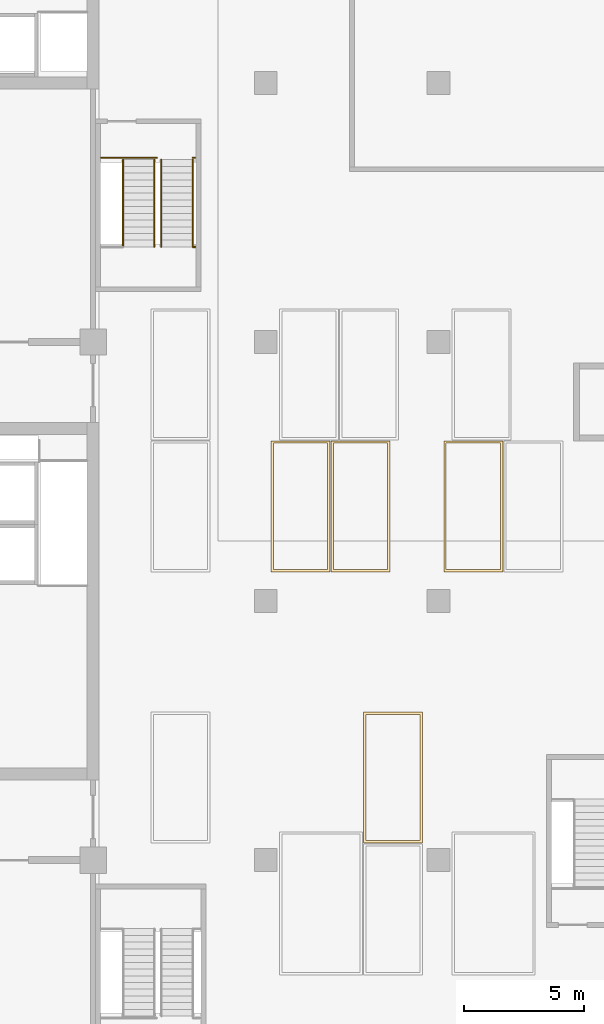
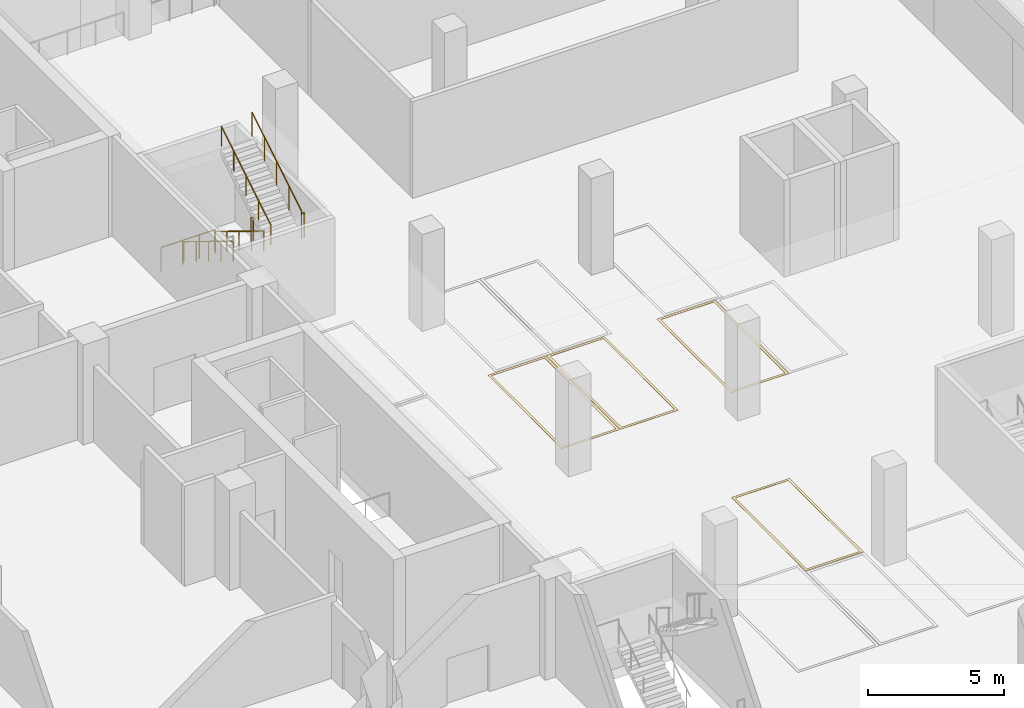
# One storey, part 15 of 18: 8 railings, 4 coverings.
"""IFC4 building model written with IfcOpenShell, lengths in metres."""

import ifcopenshell
import ifcopenshell.guid

model = None  # the IFC model being written
_history = None  # IfcOwnerHistory: only IFC2X3 demands one
_inside = {}  # id of a spatial element -> (the spatial element, [elements in it])
_under = {}  # id of a project, library or spatial element -> (it, [spatial elements below it])
_declared = {}  # id of a project -> (the project, [libraries it declares])
_typed = {}  # id of a type object -> (the type object, [elements of that type])
_made_of = {}  # id of a material, layer set ... -> (it, [elements and type objects made of it])


def new_model(schema):
    """Start an empty IFC model of exactly this schema.

    Asked for "IFC4X3", IfcOpenShell would pick the latest addendum, in which some entities
    have other attributes; the version numbers below select the first issue.
    IFC2X3 requires an IfcOwnerHistory on every rooted entity: one is made here for all.
    """
    global model, _history
    if schema == "IFC4X3":
        model = ifcopenshell.file(schema_version=(4, 3, 0, 0))
    else:
        model = ifcopenshell.file(schema=schema)
    _inside.clear()
    _under.clear()
    _declared.clear()
    _typed.clear()
    _made_of.clear()
    _history = None
    if model.schema == "IFC2X3":
        org = make("IfcOrganization", Name="unknown")
        user = make(
            "IfcPersonAndOrganization",
            ThePerson=make("IfcPerson", FamilyName="unknown"),
            TheOrganization=org,
        )
        app = make(
            "IfcApplication",
            ApplicationDeveloper=org,
            Version="unknown",
            ApplicationFullName="unknown",
            ApplicationIdentifier="unknown",
        )
        _history = make(
            "IfcOwnerHistory",
            OwningUser=user,
            OwningApplication=app,
            ChangeAction="ADDED",
            CreationDate=0,
        )
    return model


def make(cls, **values):
    """One entity of the class cls with the attributes given. An attribute that is None is left unset."""
    return model.create_entity(
        cls, **{name: value for name, value in values.items() if value is not None}
    )


def rooted(cls, **values):
    """An entity with a GlobalId (a new one), such as an element, a storey or a relation."""
    return make(cls, GlobalId=ifcopenshell.guid.new(), OwnerHistory=_history, **values)


def si_unit(unit_type, name, prefix=None):
    """IfcSIUnit, for example si_unit("LENGTHUNIT", "METRE", prefix="MILLI")."""
    return make("IfcSIUnit", UnitType=unit_type, Prefix=prefix, Name=name)


def assignment(units):
    """IfcUnitAssignment: the units of a project."""
    return None if units is None else make("IfcUnitAssignment", Units=units)


def point(xyz):
    """IfcCartesianPoint."""
    return None if xyz is None else make("IfcCartesianPoint", Coordinates=xyz)


def direction(xyz):
    """IfcDirection."""
    return None if xyz is None else make("IfcDirection", DirectionRatios=xyz)


def frame(location, z_axis=None, x_axis=None):
    """IfcAxis2Placement3D, a coordinate frame: its origin and axes. An axis left out is left unset."""
    return make(
        "IfcAxis2Placement3D",
        Location=point(location),
        Axis=direction(z_axis),
        RefDirection=direction(x_axis),
    )


def frame_2d(location, x_axis=None):
    """IfcAxis2Placement2D, a coordinate frame in the plane: its origin and x axis."""
    return make(
        "IfcAxis2Placement2D", Location=point(location), RefDirection=direction(x_axis)
    )


def origin():
    """The frame at (0, 0, 0) with its axes left unset."""
    return frame((0.0, 0.0, 0.0))


def origin_2d():
    """The frame at (0, 0) in the plane with its x axis left unset."""
    return frame_2d((0.0, 0.0))


def place(relative_to, where):
    """IfcLocalPlacement: puts the frame where relative to a parent placement (None: the world)."""
    return make(
        "IfcLocalPlacement", PlacementRelTo=relative_to, RelativePlacement=where
    )


def context(
    kind, dimensions, precision=None, world=None, true_north=None, identifier=None
):
    """IfcGeometricRepresentationContext, for example the 3D "Model" context."""
    return make(
        "IfcGeometricRepresentationContext",
        ContextIdentifier=identifier,
        ContextType=kind,
        CoordinateSpaceDimension=dimensions,
        Precision=precision,
        WorldCoordinateSystem=world,
        TrueNorth=true_north,
    )


def subcontext(parent, identifier, kind, view, scale=None):
    """IfcGeometricRepresentationSubContext, for example "Body" below "Model"."""
    return make(
        "IfcGeometricRepresentationSubContext",
        ContextIdentifier=identifier,
        ContextType=kind,
        ParentContext=parent,
        TargetScale=scale,
        TargetView=view,
    )


def project(units=None, contexts=None):
    """IfcProject with its units and contexts."""
    return rooted(
        "IfcProject",
        Name="project",
        RepresentationContexts=contexts,
        UnitsInContext=assignment(units),
    )


def spatial(cls, under=None, at=None, **own):
    """A site, building, storey or space (cls), placed at a placement, below another one or the project."""
    s = rooted(cls, ObjectPlacement=at, **own)
    if under is not None:
        _under.setdefault(under.id(), (under, []))[1].append(s)
    return s


def polyline(points):
    """IfcPolyline through the points."""
    return make("IfcPolyline", Points=[point(p) for p in points])


def profile(cls, at=None, kind="AREA", **sizes):
    """A parametric profile (cls). Its sizes go by their IFC names, for example OverallWidth=200.0."""
    return make(cls, ProfileType=kind, Position=at, **sizes)


def circle(**sizes):
    """IfcCircleProfileDef."""
    return profile("IfcCircleProfileDef", **sizes)


def outline(outer, holes=None, kind="AREA"):
    """IfcArbitraryClosedProfileDef: a profile drawn as a closed curve; with holes, ...WithVoids."""
    if holes is None:
        return make("IfcArbitraryClosedProfileDef", ProfileType=kind, OuterCurve=outer)
    return make(
        "IfcArbitraryProfileDefWithVoids",
        ProfileType=kind,
        OuterCurve=outer,
        InnerCurves=holes,
    )


def extrude(swept, where, along, depth):
    """IfcExtrudedAreaSolid: the profile swept, set in the frame where, extruded along a direction by depth."""
    return make(
        "IfcExtrudedAreaSolid",
        SweptArea=swept,
        Position=where,
        ExtrudedDirection=direction(along),
        Depth=depth,
    )


def shape(context_of_items, identifier, shape_type, items):
    """IfcShapeRepresentation: the items that make up one representation, for example the "Body"."""
    return make(
        "IfcShapeRepresentation",
        ContextOfItems=context_of_items,
        RepresentationIdentifier=identifier,
        RepresentationType=shape_type,
        Items=items,
    )


def material(Name=None, Category=None):
    """IfcMaterial."""
    return make("IfcMaterial", Name=Name, Category=Category)


def layer(
    of_material, thickness, ventilated=None, Name=None, Category=None, Priority=None
):
    """IfcMaterialLayer: one layer of a wall or slab, of a material (None: an air gap)."""
    return make(
        "IfcMaterialLayer",
        Material=of_material,
        LayerThickness=thickness,
        IsVentilated=ventilated,
        Name=Name,
        Category=Category,
        Priority=Priority,
    )


def layer_set(layers, Name=None):
    """IfcMaterialLayerSet."""
    return make("IfcMaterialLayerSet", MaterialLayers=layers, LayerSetName=Name)


def made_of(thing, what):
    """Note that an element or type object is made of a material, layer set ...; save() writes the relation."""
    if what is not None:
        _made_of.setdefault(what.id(), (what, []))[1].append(thing)
    return thing


def type_object(cls, material=None, **own):
    """A type object (cls), such as IfcWallType, which elements share."""
    return made_of(rooted(cls, **own), material)


def element(
    cls,
    number,
    at=None,
    inside=None,
    cuts=None,
    type_object=None,
    material=None,
    context=None,
    identifier="Body",
    shape_type=None,
    held_by="IfcProductDefinitionShape",
    body=None,
    shapes=None,
    **own,
):
    """One element of the class cls, such as IfcWall. Its Tag is "e" and its number.

    at: its placement. inside: the storey or other place that contains it. cuts: it is an
    opening in that element (IfcRelVoidsElement). A single representation is given by context,
    identifier, shape_type and body (its items); several are given by shapes. held_by: the class
    of the entity that holds the representations. save() writes the other relations.
    """
    e = rooted(cls, Tag="e%d" % number, ObjectPlacement=at, **own)
    if body is not None:
        shapes = [shape(context, identifier, shape_type, body)]
    if shapes is not None:
        e.Representation = make(held_by, Representations=shapes)
    if inside is not None:
        _inside.setdefault(inside.id(), (inside, []))[1].append(e)
    if cuts is not None:
        rooted(
            "IfcRelVoidsElement", RelatingBuildingElement=cuts, RelatedOpeningElement=e
        )
    if type_object is not None:
        _typed.setdefault(type_object.id(), (type_object, []))[1].append(e)
    return made_of(e, material)


def aggregate(whole, parts):
    """IfcRelAggregates: a whole, such as a stair, and the parts it consists of."""
    return rooted("IfcRelAggregates", RelatingObject=whole, RelatedObjects=parts)


def save(model, path):
    """Write the relations noted so far, then the file.

    IfcRelAggregates (storeys below a building ...), IfcRelContainedInSpatialStructure (elements
    in a storey), IfcRelDefinesByType, IfcRelAssociatesMaterial and IfcRelDeclares: one each for
    every whole, place, type object, material and project.
    """
    for whole, parts in _under.values():
        aggregate(whole, parts)
    for where, things in _inside.values():
        rooted(
            "IfcRelContainedInSpatialStructure",
            RelatedElements=things,
            RelatingStructure=where,
        )
    for kind, things in _typed.values():
        rooted("IfcRelDefinesByType", RelatedObjects=things, RelatingType=kind)
    for what, things in _made_of.values():
        rooted("IfcRelAssociatesMaterial", RelatedObjects=things, RelatingMaterial=what)
    for by, libraries in _declared.values():
        rooted("IfcRelDeclares", RelatingContext=by, RelatedDefinitions=libraries)
    model.write(path)


model = new_model("IFC4")

# Units and contexts
model_context = context("Model", 3, precision=1e-05, world=origin(), true_north=direction((0.0, 1.0)))
body_context = subcontext(model_context, "Body", "Model", "MODEL_VIEW")
ifc_project = project(units=[si_unit("LENGTHUNIT", "METRE"), si_unit("AREAUNIT", "SQUARE_METRE"), si_unit("VOLUMEUNIT", "CUBIC_METRE"), si_unit("PLANEANGLEUNIT", "RADIAN"), si_unit("MASSUNIT", "GRAM", prefix="KILO")], contexts=[model_context])

# Site, building, storey
site_placement = place(None, origin())
site = spatial("IfcSite", under=ifc_project, at=site_placement, CompositionType="ELEMENT")
building_placement = place(site_placement, origin())
building = spatial("IfcBuilding", under=site, at=building_placement, Name="Basin Gate Institute", CompositionType="ELEMENT")
storey_placement = place(building_placement, frame((0.0, 0.0, -4.800048828125)))
storey = spatial("IfcBuildingStorey", under=building, at=storey_placement, Name="B1", CompositionType="ELEMENT", Elevation=-4.800048828125)

# Coverings
ifc_material_1 = material(Name="Road marking paint, white")
ifc_layer = layer(ifc_material_1, 0.010009765625)
ifc_layer_set = layer_set([ifc_layer], Name="Parking bay marking PM1")
covering_type = type_object("IfcCoveringType", Name="Parking bay marking PM1", PredefinedType="FLOORING", material=ifc_layer_set)
covering_1_placement = place(storey_placement, origin())
element("IfcCovering", 1, at=covering_1_placement, inside=storey, type_object=covering_type, material=ifc_layer_set, Name="Parking bay marking B1-05 31", PredefinedType="FLOORING", context=body_context, shape_type="SweptSolid", body=[
    extrude(outline(polyline([(130.070068359375, 57.419921875), (132.530029296875, 57.419921875), (132.530029296875, 62.8798828125), (130.070068359375, 62.8798828125), (130.070068359375, 57.419921875)]), holes=[polyline([(130.169921875, 57.52001953125), (132.429931640625, 57.52001953125), (132.429931640625, 62.780029296875), (130.169921875, 62.780029296875), (130.169921875, 57.52001953125)])]), origin(), (0.0, 0.0, 1.0), 0.010009765625),
])
covering_2_placement = place(storey_placement, origin())
element("IfcCovering", 2, at=covering_2_placement, inside=storey, type_object=covering_type, material=ifc_layer_set, Name="Parking bay marking B1-05 33", PredefinedType="FLOORING", context=body_context, shape_type="SweptSolid", body=[
    extrude(outline(polyline([(126.219970703125, 68.719970703125), (128.679931640625, 68.719970703125), (128.679931640625, 74.179931640625), (126.219970703125, 74.179931640625), (126.219970703125, 68.719970703125)]), holes=[polyline([(126.320068359375, 68.820068359375), (128.580078125, 68.820068359375), (128.580078125, 74.080078125), (126.320068359375, 74.080078125), (126.320068359375, 68.820068359375)])]), origin(), (0.0, 0.0, 1.0), 0.010009765625),
])
covering_3_placement = place(storey_placement, origin())
element("IfcCovering", 3, at=covering_3_placement, inside=storey, type_object=covering_type, material=ifc_layer_set, Name="Parking bay marking B1-05 34", PredefinedType="FLOORING", context=body_context, shape_type="SweptSolid", body=[
    extrude(outline(polyline([(128.719970703125, 68.719970703125), (131.179931640625, 68.719970703125), (131.179931640625, 74.179931640625), (128.719970703125, 74.179931640625), (128.719970703125, 68.719970703125)]), holes=[polyline([(128.820068359375, 68.820068359375), (131.080078125, 68.820068359375), (131.080078125, 74.080078125), (128.820068359375, 74.080078125), (128.820068359375, 68.820068359375)])]), origin(), (0.0, 0.0, 1.0), 0.010009765625),
])
covering_4_placement = place(storey_placement, origin())
element("IfcCovering", 4, at=covering_4_placement, inside=storey, type_object=covering_type, material=ifc_layer_set, Name="Parking bay marking B1-05 35", PredefinedType="FLOORING", context=body_context, shape_type="SweptSolid", body=[
    extrude(outline(polyline([(133.419921875, 68.719970703125), (135.8798828125, 68.719970703125), (135.8798828125, 74.179931640625), (133.419921875, 74.179931640625), (133.419921875, 68.719970703125)]), holes=[polyline([(133.52001953125, 68.820068359375), (135.780029296875, 68.820068359375), (135.780029296875, 74.080078125), (133.52001953125, 74.080078125), (133.52001953125, 68.820068359375)])]), origin(), (0.0, 0.0, 1.0), 0.010009765625),
])

# Railings
ifc_material_2 = material(Name="Stainless steel", Category="steel")
railing_type_1 = type_object("IfcRailingType", Name="Stair guard GR1", PredefinedType="GUARDRAIL", material=ifc_material_2)
railing_1_placement = place(storey_placement, frame((120.050048828125, 85.97998046875, 0.0)))
element("IfcRailing", 5, at=railing_1_placement, inside=storey, type_object=railing_type_1, material=ifc_material_2, Name="Stair guard GR1 BS4 GD4-B2", PredefinedType="GUARDRAIL", context=body_context, shape_type="SweptSolid", body=[
    extrude(circle(Radius=0.02392578125, at=origin_2d()), frame((0.0, 0.0, 1.076171875), z_axis=(1.0, 0.0, 0.0), x_axis=(0.0, 1.0, 0.0)), (0.0, 0.0, 1.0), 1.39990234375),
    extrude(circle(Radius=0.02099609375, at=origin_2d()), origin(), (0.0, 0.0, 1.0), 1.052001953125),
    extrude(circle(Radius=0.02099609375, at=origin_2d()), frame((0.699951171875, 0.0, 0.0)), (0.0, 0.0, 1.0), 1.052001953125),
    extrude(circle(Radius=0.02099609375, at=origin_2d()), frame((1.39990234375, 0.0, 0.0)), (0.0, 0.0, 1.0), 1.052001953125),
])
railing_2_placement = place(storey_placement, frame((119.1298828125, 85.97998046875, 0.0)))
element("IfcRailing", 6, at=railing_2_placement, inside=storey, type_object=railing_type_1, material=ifc_material_2, Name="Stair guard GR1 BS4 GD4b-B2", PredefinedType="GUARDRAIL", context=body_context, shape_type="SweptSolid", body=[
    extrude(circle(Radius=0.02392578125, at=origin_2d()), frame((0.0, 0.0, 1.076171875), z_axis=(1.0, 0.0, 0.0), x_axis=(0.0, 1.0, 0.0)), (0.0, 0.0, 1.0), 0.920166015625),
    extrude(circle(Radius=0.02099609375, at=origin_2d()), origin(), (0.0, 0.0, 1.0), 1.052001953125),
    extrude(circle(Radius=0.02099609375, at=origin_2d()), frame((0.920166015625, 0.0, 0.0)), (0.0, 0.0, 1.0), 1.052001953125),
])
railing_3_placement = place(storey_placement, frame((122.949951171875, 85.97998046875, 0.0)))
element("IfcRailing", 7, at=railing_3_placement, inside=storey, type_object=railing_type_1, material=ifc_material_2, Name="Stair guard GR1 BS4 GD5-B2", PredefinedType="GUARDRAIL", context=body_context, shape_type="SweptSolid", body=[
    extrude(circle(Radius=0.02392578125, at=origin_2d()), frame((0.0, 0.0, 1.076171875), z_axis=(1.0, 0.0, 0.0), x_axis=(0.0, 1.0, 0.0)), (0.0, 0.0, 1.0), 0.10009765625),
    extrude(circle(Radius=0.02099609375, at=origin_2d()), origin(), (0.0, 0.0, 1.0), 1.052001953125),
    extrude(circle(Radius=0.02099609375, at=origin_2d()), frame((0.10009765625, 0.0, 0.0)), (0.0, 0.0, 1.0), 1.052001953125),
])
railing_4_placement = place(storey_placement, frame((122.949951171875, 82.260009765625, 2.571533203125)))
element("IfcRailing", 8, at=railing_4_placement, inside=storey, type_object=railing_type_1, material=ifc_material_2, Name="Stair guard GR1 BS4 GD1", PredefinedType="GUARDRAIL", context=body_context, shape_type="SweptSolid", body=[
    extrude(circle(Radius=0.02392578125, at=origin_2d()), frame((0.0, 0.0, 1.076171875), z_axis=(0.0, 0.852850264322, 0.5221555579), x_axis=(-1.0, 0.0, 0.0)), (0.0, 0.0, 1.0), 4.267822265625),
    extrude(circle(Radius=0.02099609375, at=origin_2d()), origin(), (0.0, 0.0, 1.0), 1.052001953125),
    extrude(circle(Radius=0.02099609375, at=origin_2d()), frame((0.0, 0.909912109375, 0.55712890625)), (0.0, 0.0, 1.0), 1.052001953125),
    extrude(circle(Radius=0.02099609375, at=origin_2d()), frame((0.0, 1.81982421875, 1.1142578125)), (0.0, 0.0, 1.0), 1.052001953125),
    extrude(circle(Radius=0.02099609375, at=origin_2d()), frame((0.0, 2.72998046875, 1.67138671875)), (0.0, 0.0, 1.0), 1.052001953125),
    extrude(circle(Radius=0.02099609375, at=origin_2d()), frame((0.0, 3.639892578125, 2.228515625)), (0.0, 0.0, 1.0), 1.052001953125),
])
ifc_material_3 = material(Name="Stainless steel", Category="steel")
railing_type_2 = type_object("IfcRailingType", Name="Stair guard GR3", PredefinedType="GUARDRAIL", material=ifc_material_3)
railing_5_placement = place(storey_placement, frame((122.949951171875, 82.260009765625, 2.400146484375)))
element("IfcRailing", 9, at=railing_5_placement, inside=storey, type_object=railing_type_2, material=ifc_material_3, Name="Stair guard GR3 BS4 GD2", PredefinedType="GUARDRAIL", context=body_context, shape_type="SweptSolid", body=[
    extrude(circle(Radius=0.02392578125, at=origin_2d()), frame((0.0, 0.0, 1.1259765625), z_axis=(1.0, 0.0, 0.0), x_axis=(0.0, 1.0, 0.0)), (0.0, 0.0, 1.0), 0.1201171875),
    extrude(circle(Radius=0.02099609375, at=origin_2d()), origin(), (0.0, 0.0, 1.0), 1.101806640625),
    extrude(circle(Radius=0.02099609375, at=origin_2d()), frame((0.1201171875, 0.0, 0.0)), (0.0, 0.0, 1.0), 1.101806640625),
])
ifc_material_4 = material(Name="Stainless steel", Category="steel")
railing_type_3 = type_object("IfcRailingType", Name="Stair handrail HR1", PredefinedType="HANDRAIL", material=ifc_material_4)
for number, where, name in (
    (10, (120.050048828125, 85.89990234375, 0.17138671875), "Stair handrail HR1 BS4 HR1"),
    (11, (121.35009765625, 85.89990234375, 0.17138671875), "Stair handrail HR1 BS4 HR2"),
):
    element("IfcRailing", number, at=place(storey_placement, frame(where)), inside=storey, type_object=railing_type_3, material=ifc_material_4, Name=name, PredefinedType="HANDRAIL", context=body_context, shape_type="SweptSolid", body=[
        extrude(circle(Radius=0.02392578125, at=origin_2d()), frame((0.0, 0.0, 0.89599609375), z_axis=(0.0, -0.852824790078, 0.522197163366), x_axis=(1.0, 0.0, 0.0)), (0.0, 0.0, 1.0), 4.26806640625),
        extrude(circle(Radius=0.02099609375, at=origin_2d()), origin(), (0.0, 0.0, 1.0), 0.871826171875),
        extrude(circle(Radius=0.02099609375, at=origin_2d()), frame((0.0, -0.909912109375, 0.55712890625)), (0.0, 0.0, 1.0), 0.871826171875),
        extrude(circle(Radius=0.02099609375, at=origin_2d()), frame((0.0, -1.81982421875, 1.1142578125)), (0.0, 0.0, 1.0), 0.871826171875),
        extrude(circle(Radius=0.02099609375, at=origin_2d()), frame((0.0, -2.72998046875, 1.671630859375)), (0.0, 0.0, 1.0), 0.871826171875),
        extrude(circle(Radius=0.02099609375, at=origin_2d()), frame((0.0, -3.639892578125, 2.228759765625)), (0.0, 0.0, 1.0), 0.871826171875),
    ])
railing_6_placement = place(storey_placement, frame((121.64990234375, 82.260009765625, 2.571533203125)))
element("IfcRailing", 12, at=railing_6_placement, inside=storey, type_object=railing_type_3, material=ifc_material_4, Name="Stair handrail HR1 BS4 HR3", PredefinedType="HANDRAIL", context=body_context, shape_type="SweptSolid", body=[
    extrude(circle(Radius=0.02392578125, at=origin_2d()), frame((0.0, 0.0, 0.89599609375), z_axis=(0.0, 0.852850264322, 0.5221555579), x_axis=(-1.0, 0.0, 0.0)), (0.0, 0.0, 1.0), 4.267822265625),
    extrude(circle(Radius=0.02099609375, at=origin_2d()), origin(), (0.0, 0.0, 1.0), 0.871826171875),
    extrude(circle(Radius=0.02099609375, at=origin_2d()), frame((0.0, 0.909912109375, 0.55712890625)), (0.0, 0.0, 1.0), 0.871826171875),
    extrude(circle(Radius=0.02099609375, at=origin_2d()), frame((0.0, 1.81982421875, 1.1142578125)), (0.0, 0.0, 1.0), 0.871826171875),
    extrude(circle(Radius=0.02099609375, at=origin_2d()), frame((0.0, 2.72998046875, 1.67138671875)), (0.0, 0.0, 1.0), 0.871826171875),
    extrude(circle(Radius=0.02099609375, at=origin_2d()), frame((0.0, 3.639892578125, 2.228515625)), (0.0, 0.0, 1.0), 0.871826171875),
])

save(model, "model.ifc")
